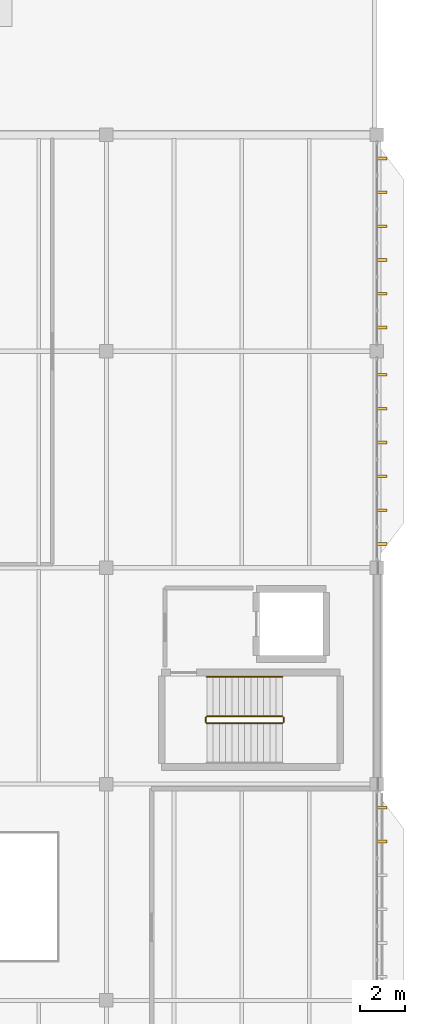
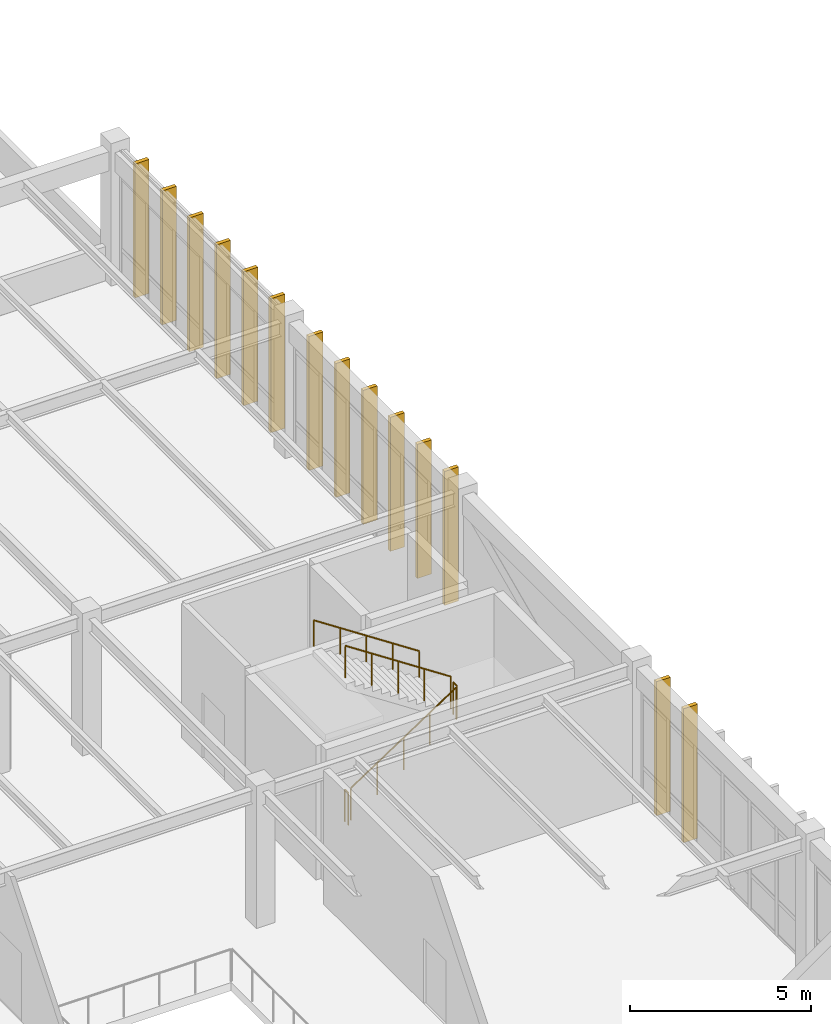
# One storey, part 235 of 236: 14 shading devices, 5 railings.
"""IFC4 building model written with IfcOpenShell, lengths in metres."""

from ifc_helpers import new_model, si_unit, direction, frame, origin, origin_2d, place, context, subcontext, project, spatial, rectangle, circle, extrude, material, type_object, element, save


model = new_model("IFC4")

# Units and contexts
model_context = context("Model", 3, precision=1e-05, world=origin(), true_north=direction((0.0, 1.0)))
body_context = subcontext(model_context, "Body", "Model", "MODEL_VIEW")
ifc_project = project(units=[si_unit("LENGTHUNIT", "METRE"), si_unit("AREAUNIT", "SQUARE_METRE"), si_unit("VOLUMEUNIT", "CUBIC_METRE"), si_unit("PLANEANGLEUNIT", "RADIAN"), si_unit("MASSUNIT", "GRAM", prefix="KILO")], contexts=[model_context])

# Site, building, storey
site_placement = place(None, origin())
site = spatial("IfcSite", under=ifc_project, at=site_placement, CompositionType="ELEMENT")
building_placement = place(site_placement, origin())
building = spatial("IfcBuilding", under=site, at=building_placement, Name="Pandanus Reach Market Hall", CompositionType="ELEMENT")
storey_placement = place(building_placement, frame((0.0, 0.0, 5.39990234375)))
storey = spatial("IfcBuildingStorey", under=building, at=storey_placement, Name="L01", CompositionType="ELEMENT", Elevation=5.39990234375)

# Shading devices
ifc_material_1 = material(Name="Precast concrete S50 (50 MPa)", Category="concrete")
shading_device_type = type_object("IfcShadingDeviceType", Name="FN-S50-450", PredefinedType="JALOUSIE", material=ifc_material_1)
for number, where, z_axis, x_axis, name in (
    (1, (180.219970703125, 64.64990234375, -0.010009765625), (0.0, 0.0, 1.0), (1.0, 0.0, 0.0), "Precast brise-soleil fin 355"),
    (2, (180.219970703125, 66.14990234375, -0.010009765625), (0.0, 0.0, 1.0), (1.0, 0.0, 0.0), "Precast brise-soleil fin 356"),
    (3, (180.219970703125, 77.85009765625, -0.010009765625), (0.0, 0.0, 1.0), (1.0, 0.0, 0.0), "Precast brise-soleil fin 357"),
    (4, (180.219970703125, 79.35009765625, -0.010009765625), (0.0, 0.0, 1.0), (1.0, 0.0, 0.0), "Precast brise-soleil fin 358"),
    (5, (180.219970703125, 80.85009765625, -0.010009765625), (0.0, 0.0, 1.0), (1.0, 0.0, 0.0), "Precast brise-soleil fin 359"),
    (6, (180.219970703125, 82.35009765625, -0.010009765625), (0.0, 0.0, 1.0), (1.0, 0.0, 0.0), "Precast brise-soleil fin 360"),
    (7, (180.219970703125, 83.85009765625, -0.010009765625), (0.0, 0.0, 1.0), (1.0, 0.0, 0.0), "Precast brise-soleil fin 361"),
    (8, (180.219970703125, 85.35009765625, -0.010009765625), (0.0, 0.0, 1.0), (1.0, 0.0, 0.0), "Precast brise-soleil fin 362"),
    (9, (180.219970703125, 87.449951171875, -0.010009765625), (0.0, 0.0, 1.0), (1.0, 0.0, 0.0), "Precast brise-soleil fin 363"),
    (10, (180.219970703125, 88.949951171875, -0.010009765625), (0.0, 0.0, 1.0), (1.0, 0.0, 0.0), "Precast brise-soleil fin 364"),
    (11, (180.219970703125, 90.449951171875, -0.010009765625), (0.0, 0.0, 1.0), (1.0, 0.0, 0.0), "Precast brise-soleil fin 365"),
    (12, (180.219970703125, 91.949951171875, -0.010009765625), (0.0, 0.0, 1.0), (1.0, 0.0, 0.0), "Precast brise-soleil fin 366"),
    (13, (180.219970703125, 93.449951171875, -0.010009765625), (0.0, 0.0, 1.0), (1.0, 0.0, 0.0), "Precast brise-soleil fin 367"),
    (14, (180.219970703125, 94.949951171875, -0.010009765625), (0.0, 0.0, 1.0), (1.0, 0.0, 0.0), "Precast brise-soleil fin 368"),
):
    element("IfcShadingDevice", number, at=place(storey_placement, frame(where, z_axis=z_axis, x_axis=x_axis)), inside=storey, type_object=shading_device_type, Name=name, PredefinedType="JALOUSIE", context=body_context, shape_type="SweptSolid", body=[
        extrude(rectangle(XDim=0.449951171875, YDim=0.1201171875, at=origin_2d()), origin(), (0.0, 0.0, 1.0), 4.52001953125),
    ])

# Railings
ifc_material_2 = material(Name="Galvanised steel Grade 350 (350 MPa)", Category="steel")
railing_type_1 = type_object("IfcRailingType", Name="GR-INT-110", PredefinedType="GUARDRAIL", material=ifc_material_2)
railing_1_placement = place(storey_placement, frame((172.449951171875, 69.89990234375, 0.184814453125)))
element("IfcRailing", 15, at=railing_1_placement, inside=storey, type_object=railing_type_1, Name="Stair guard ST-02 L01.44", PredefinedType="GUARDRAIL", context=body_context, shape_type="SweptSolid", body=[
    extrude(circle(Radius=0.02392578125, at=origin_2d()), frame((0.0, 0.0, 1.076171875), z_axis=(0.834876476806, 0.0, 0.550437342915), x_axis=(0.0, 1.0, 0.0)), (0.0, 0.0, 1.0), 4.024658203125),
    extrude(circle(Radius=0.02099609375, at=origin_2d()), origin(), (0.0, 0.0, 1.0), 1.052001953125),
    extrude(circle(Radius=0.02099609375, at=origin_2d()), frame((0.840087890625, 0.0, 0.5537109375)), (0.0, 0.0, 1.0), 1.052001953125),
    extrude(circle(Radius=0.02099609375, at=origin_2d()), frame((1.68017578125, 0.0, 1.107666015625)), (0.0, 0.0, 1.0), 1.052001953125),
    extrude(circle(Radius=0.02099609375, at=origin_2d()), frame((2.52001953125, 0.0, 1.66162109375)), (0.0, 0.0, 1.0), 1.052001953125),
    extrude(circle(Radius=0.02099609375, at=origin_2d()), frame((3.360107421875, 0.0, 2.21533203125)), (0.0, 0.0, 1.0), 1.052001953125),
])
railing_2_placement = place(storey_placement, frame((175.860107421875, 69.949951171875, 2.400146484375)))
element("IfcRailing", 16, at=railing_2_placement, inside=storey, type_object=railing_type_1, Name="Stair guard ST-02 L01.45", PredefinedType="GUARDRAIL", context=body_context, shape_type="SweptSolid", body=[
    extrude(circle(Radius=0.02392578125, at=origin_2d()), frame((0.0, 0.0, 1.076171875), z_axis=(0.0, 1.0, 0.0), x_axis=(-1.0, 0.0, 0.0)), (0.0, 0.0, 1.0), 0.199951171875),
    extrude(circle(Radius=0.02099609375, at=origin_2d()), origin(), (0.0, 0.0, 1.0), 1.052001953125),
    extrude(circle(Radius=0.02099609375, at=origin_2d()), frame((0.0, 0.199951171875, 0.0)), (0.0, 0.0, 1.0), 1.052001953125),
])
railing_3_placement = place(storey_placement, frame((175.81005859375, 70.199951171875, 2.584716796875)))
element("IfcRailing", 17, at=railing_3_placement, inside=storey, type_object=railing_type_1, Name="Stair guard ST-02 L01.46", PredefinedType="GUARDRAIL", context=body_context, shape_type="SweptSolid", body=[
    extrude(circle(Radius=0.02392578125, at=origin_2d()), frame((0.0, 0.0, 1.076171875), z_axis=(-0.834876476806, 0.0, 0.550437342915), x_axis=(0.0, -1.0, 0.0)), (0.0, 0.0, 1.0), 4.024658203125),
    extrude(circle(Radius=0.02099609375, at=origin_2d()), origin(), (0.0, 0.0, 1.0), 1.052001953125),
    extrude(circle(Radius=0.02099609375, at=origin_2d()), frame((-0.840087890625, 0.0, 0.5537109375)), (0.0, 0.0, 1.0), 1.052001953125),
    extrude(circle(Radius=0.02099609375, at=origin_2d()), frame((-1.68017578125, 0.0, 1.107666015625)), (0.0, 0.0, 1.0), 1.052001953125),
    extrude(circle(Radius=0.02099609375, at=origin_2d()), frame((-2.52001953125, 0.0, 1.66162109375)), (0.0, 0.0, 1.0), 1.052001953125),
    extrude(circle(Radius=0.02099609375, at=origin_2d()), frame((-3.360107421875, 0.0, 2.21533203125)), (0.0, 0.0, 1.0), 1.052001953125),
])
railing_4_placement = place(storey_placement, frame((172.39990234375, 69.949951171875, 0.0)))
element("IfcRailing", 18, at=railing_4_placement, inside=storey, type_object=railing_type_1, Name="Stair guard ST-02 L01.47", PredefinedType="GUARDRAIL", context=body_context, shape_type="SweptSolid", body=[
    extrude(circle(Radius=0.02392578125, at=origin_2d()), frame((0.0, 0.0, 1.076171875), z_axis=(0.0, 1.0, 0.0), x_axis=(-1.0, 0.0, 0.0)), (0.0, 0.0, 1.0), 0.199951171875),
    extrude(circle(Radius=0.02099609375, at=origin_2d()), origin(), (0.0, 0.0, 1.0), 1.052001953125),
    extrude(circle(Radius=0.02099609375, at=origin_2d()), frame((0.0, 0.199951171875, 0.0)), (0.0, 0.0, 1.0), 1.052001953125),
])
ifc_material_3 = material(Name="Brushed stainless steel", Category="steel")
railing_type_2 = type_object("IfcRailingType", Name="HR-WAL-090", PredefinedType="HANDRAIL", material=ifc_material_3)
railing_5_placement = place(storey_placement, frame((175.81005859375, 71.949951171875, 2.584716796875)))
element("IfcRailing", 19, at=railing_5_placement, inside=storey, type_object=railing_type_2, Name="Stair handrail ST-02 L01.49", PredefinedType="HANDRAIL", context=body_context, shape_type="SweptSolid", body=[
    extrude(circle(Radius=0.02392578125, at=origin_2d()), frame((0.0, 0.0, 0.8759765625), z_axis=(-0.834876476806, 0.0, 0.550437342915), x_axis=(0.0, -1.0, 0.0)), (0.0, 0.0, 1.0), 4.024658203125),
    extrude(circle(Radius=0.02099609375, at=origin_2d()), origin(), (0.0, 0.0, 1.0), 0.851806640625),
    extrude(circle(Radius=0.02099609375, at=origin_2d()), frame((-0.840087890625, 0.0, 0.5537109375)), (0.0, 0.0, 1.0), 0.851806640625),
    extrude(circle(Radius=0.02099609375, at=origin_2d()), frame((-1.68017578125, 0.0, 1.107666015625)), (0.0, 0.0, 1.0), 0.851806640625),
    extrude(circle(Radius=0.02099609375, at=origin_2d()), frame((-2.52001953125, 0.0, 1.66162109375)), (0.0, 0.0, 1.0), 0.851806640625),
    extrude(circle(Radius=0.02099609375, at=origin_2d()), frame((-3.360107421875, 0.0, 2.21533203125)), (0.0, 0.0, 1.0), 0.851806640625),
])

save(model, "model.ifc")
